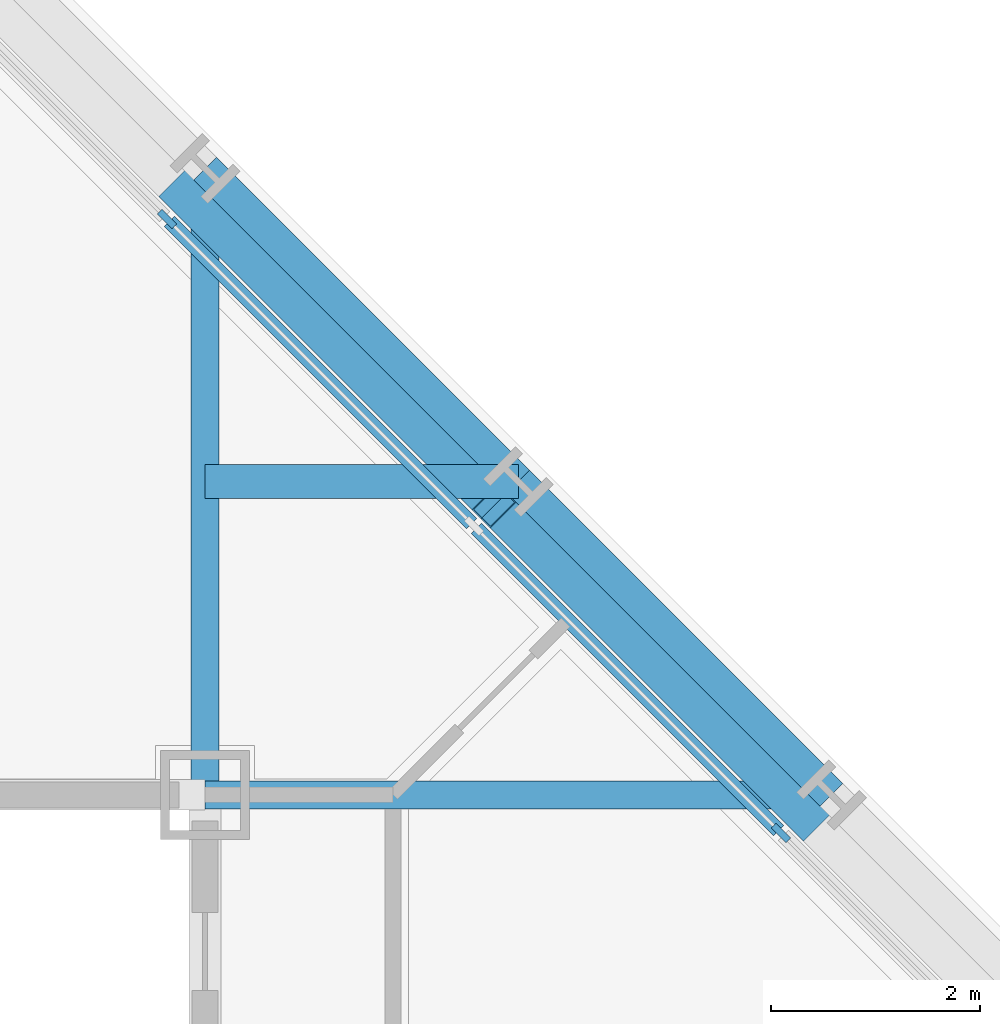
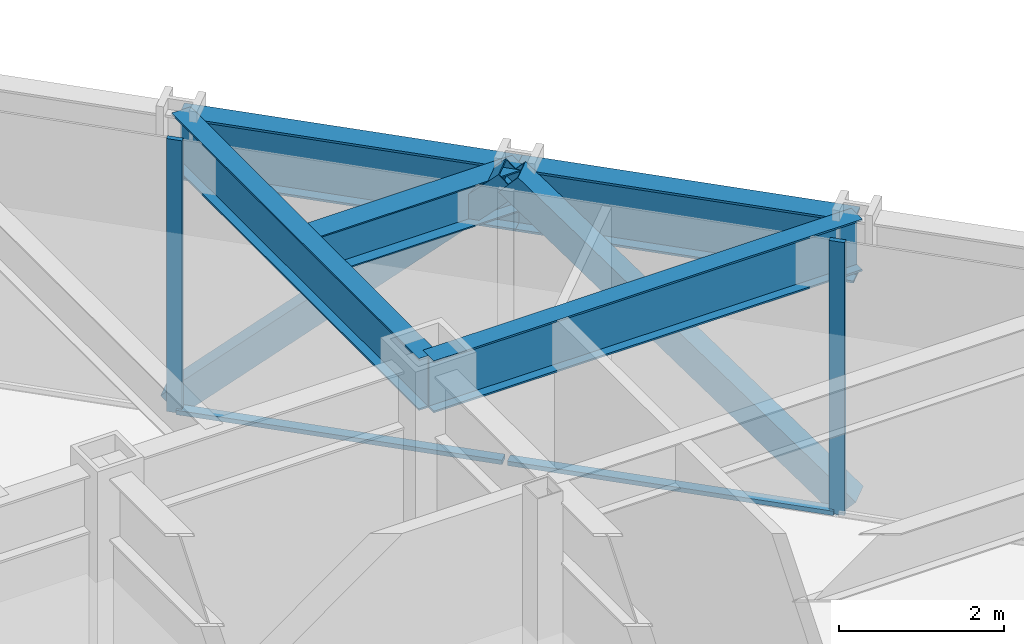
# One storey, part 8 of 15: 6 members, 5 beams, 1 element without a shape of its own.
"""IFC4 building model written with IfcOpenShell, lengths in metres."""

from ifc_helpers import new_model, si_unit, direction, frame, origin, origin_2d, place, context, subcontext, project, spatial, rectangle, hollow_rectangle, i_section, extrude, material, layer, layer_set, material_profile, profile_set, type_object, element, aggregate, save


model = new_model("IFC4")

# Units and contexts
model_context = context("Model", 3, precision=1e-05, world=origin(), true_north=direction((0.0, 1.0)))
body_context = subcontext(model_context, "Body", "Model", "MODEL_VIEW")
ifc_project = project(units=[si_unit("LENGTHUNIT", "METRE"), si_unit("AREAUNIT", "SQUARE_METRE"), si_unit("VOLUMEUNIT", "CUBIC_METRE"), si_unit("PLANEANGLEUNIT", "RADIAN"), si_unit("MASSUNIT", "GRAM", prefix="KILO")], contexts=[model_context])

# Site, building, storey
site_placement = place(None, origin())
site = spatial("IfcSite", under=ifc_project, at=site_placement, CompositionType="ELEMENT")
building_placement = place(site_placement, origin())
building = spatial("IfcBuilding", under=site, at=building_placement, Name="Chuquiago Exchange Tower", CompositionType="ELEMENT")
storey_placement = place(building_placement, frame((0.0, 0.0, 192.89990234375)))
storey = spatial("IfcBuildingStorey", under=building, at=storey_placement, Name="L42", CompositionType="ELEMENT", Elevation=192.89990234375)

# Beam
ifc_material_1 = material(Name="Steel ASTM A992", Category="steel")
ifc_material_profile_1 = material_profile(ifc_material_1, i_section(OverallWidth=0.3251953125, OverallDepth=0.612060546875, WebThickness=0.0126953125, FlangeThickness=0.01904296875, at=origin_2d()), Name="W24X104")
ifc_profile_set_1 = profile_set([ifc_material_profile_1], Name="Steel ASTM A992")
beam_type_1 = type_object("IfcBeamType", Name="B2 W24X104", PredefinedType="BEAM", material=ifc_profile_set_1)
beam_placement = place(storey_placement, frame((33.0, 36.0, 3.73388671875), z_axis=(1.0, 0.0, 0.0), x_axis=(0.0, 1.0, 0.0)))
element("IfcBeam", 1, at=beam_placement, inside=storey, type_object=beam_type_1, Name="FB-L43-corner-33_36-36_36-0", PredefinedType="BEAM", context=body_context, shape_type="SweptSolid", body=[
    extrude(i_section(OverallWidth=0.3251953125, OverallDepth=0.612060546875, WebThickness=0.0126953125, FlangeThickness=0.01904296875, at=origin_2d()), origin(), (0.0, 0.0, 1.0), 3.0),
])

# Curtain wall, members
ifc_material_2 = material(Name="Aluminium curtain wall system", Category="aluminium")
ifc_layer = layer(ifc_material_2, 0.199951171875)
ifc_layer_set = layer_set([ifc_layer], Name="CW3 facet curtain wall")
curtain_wall_type = type_object("IfcCurtainWallType", Name="CW3 facet curtain wall", PredefinedType="NOTDEFINED", material=ifc_layer_set)
curtain_wall_placement = place(storey_placement, origin())
curtain_wall = element("IfcCurtainWall", 2, at=curtain_wall_placement, inside=storey, type_object=curtain_wall_type, Name="CW3 curtain wall L42", PredefinedType="NOTDEFINED")
ifc_material_3 = material(Name="Aluminium mullion, pale anodised", Category="aluminium")
ifc_material_profile_2 = material_profile(ifc_material_3, rectangle(XDim=0.06494140625, YDim=0.199951171875, at=origin_2d()), Name="AL 65x200")
ifc_profile_set_2 = profile_set([ifc_material_profile_2], Name="Aluminium mullion, pale anodised")
member_type_1 = type_object("IfcMemberType", Name="CW3-M mullion 65x200", PredefinedType="MULLION", material=ifc_profile_set_2)
member_1_placement = place(storey_placement, frame((38.51708984375, 32.63427734375, 0.0), z_axis=(0.0, 0.0, 1.0), x_axis=(-0.707106781187, -0.707106781187, 0.0)))
member_1 = element("IfcMember", 3, at=member_1_placement, type_object=member_type_1, Name="CW3 mullion 3", PredefinedType="MULLION", context=body_context, shape_type="SweptSolid", body=[
    extrude(rectangle(XDim=0.06494140625, YDim=0.199951171875, at=origin_2d()), origin(), (0.0, 0.0, 1.0), 4.0400390625),
])
member_2_placement = place(storey_placement, frame((32.63427734375, 38.51708984375, 0.0), z_axis=(0.0, 0.0, 1.0), x_axis=(-0.707106781187, -0.707106781187, 0.0)))
member_2 = element("IfcMember", 4, at=member_2_placement, type_object=member_type_1, Name="CW3 mullion 5", PredefinedType="MULLION", context=body_context, shape_type="SweptSolid", body=[
    extrude(rectangle(XDim=0.06494140625, YDim=0.199951171875, at=origin_2d()), origin(), (0.0, 0.0, 1.0), 4.0400390625),
])
ifc_material_4 = material(Name="Aluminium transom, pale anodised", Category="aluminium")
ifc_material_profile_3 = material_profile(ifc_material_4, rectangle(XDim=0.139892578125, YDim=0.06494140625, at=origin_2d()), Name="AL 140x65")
ifc_profile_set_3 = profile_set([ifc_material_profile_3], Name="Aluminium transom, pale anodised")
member_type_2 = type_object("IfcMemberType", Name="CW3-T transom 65x140", PredefinedType="MULLION", material=ifc_profile_set_3)
member_3_placement = place(storey_placement, frame((38.494140625, 32.6572265625, 0.03271484375), z_axis=(-0.707106781187, 0.707106781187, 0.0), x_axis=(-0.707106781187, -0.707106781187, 0.0)))
member_3 = element("IfcMember", 5, at=member_3_placement, type_object=member_type_2, Name="CW3 transom 3.1", PredefinedType="MULLION", context=body_context, shape_type="SweptSolid", body=[
    extrude(rectangle(XDim=0.139892578125, YDim=0.06494140625, at=origin_2d()), origin(), (0.0, 0.0, 1.0), 4.094970703125),
])
member_4_placement = place(storey_placement, frame((35.552734375, 35.5986328125, 0.03271484375), z_axis=(-0.707106781187, 0.707106781187, 0.0), x_axis=(-0.707106781187, -0.707106781187, 0.0)))
member_4 = element("IfcMember", 6, at=member_4_placement, type_object=member_type_2, Name="CW3 transom 4.1", PredefinedType="MULLION", context=body_context, shape_type="SweptSolid", body=[
    extrude(rectangle(XDim=0.139892578125, YDim=0.06494140625, at=origin_2d()), origin(), (0.0, 0.0, 1.0), 4.094970703125),
])
aggregate(curtain_wall, [member_1, member_2, member_3, member_4])

# Beams
ifc_material_5 = material(Name="Steel ASTM A992", Category="steel")
ifc_material_profile_4 = material_profile(ifc_material_5, i_section(OverallWidth=0.2666015625, OverallDepth=0.76953125, WebThickness=0.015625, FlangeThickness=0.025390625, at=origin_2d()), Name="W30X132")
ifc_profile_set_4 = profile_set([ifc_material_profile_4], Name="Steel ASTM A992")
beam_type_2 = type_object("IfcBeamType", Name="G1 W30X132", PredefinedType="BEAM", material=ifc_profile_set_4)
for number, where, z_axis, x_axis, name in (
    (7, (33.0, 33.0, 3.6552734375), (0.0, 1.0, 0.0), (-1.0, 0.0, 0.0), "FB-L43-girder-33_33-33_39-0"),
    (8, (33.0, 33.0, 3.6552734375), (1.0, 0.0, 0.0), (0.0, 1.0, 0.0), "FB-L43-girder-33_33-39_33-0"),
):
    element("IfcBeam", number, at=place(storey_placement, frame(where, z_axis=z_axis, x_axis=x_axis)), inside=storey, type_object=beam_type_2, Name=name, PredefinedType="BEAM", context=body_context, shape_type="SweptSolid", body=[
        extrude(i_section(OverallWidth=0.2666015625, OverallDepth=0.76953125, WebThickness=0.015625, FlangeThickness=0.025390625, at=origin_2d()), origin(), (0.0, 0.0, 1.0), 6.0),
    ])

# Members
ifc_material_6 = material(Name="Steel ASTM A500 Grade C", Category="steel")
ifc_material_profile_5 = material_profile(ifc_material_6, hollow_rectangle(XDim=0.355712890625, YDim=0.355712890625, WallThickness=0.0146484375, at=origin_2d()), Name="HSS14X14X5/8")
ifc_profile_set_5 = profile_set([ifc_material_profile_5], Name="Steel ASTM A500 Grade C")
member_type_3 = type_object("IfcMemberType", Name="LB2 HSS14X14X5/8", PredefinedType="BRACE", material=ifc_profile_set_5)
for number, where, z_axis, x_axis, name in (
    (9, (38.7685546875, 32.7685546875, 0.0), (-0.512077265487, 0.512077265487, 0.689604051861), (-0.707106781187, -0.707106781187, 0.0), "LB-L42-39_33-36_36"),
    (10, (32.7685546875, 38.7685546875, 0.0), (0.512077265487, -0.512077265487, 0.689604051861), (0.707106781187, 0.707106781187, 0.0), "LB-L42-36_36-33_39"),
):
    element("IfcMember", number, at=place(storey_placement, frame(where, z_axis=z_axis, x_axis=x_axis)), inside=storey, type_object=member_type_3, Name=name, PredefinedType="BRACE", context=body_context, shape_type="SweptSolid", body=[
        extrude(hollow_rectangle(XDim=0.355712890625, YDim=0.355712890625, WallThickness=0.0146484375, at=origin_2d()), origin(), (0.0, 0.0, 1.0), 5.8583984375),
    ])

# Beams
ifc_material_7 = material(Name="Steel ASTM A992", Category="steel")
ifc_material_profile_6 = material_profile(ifc_material_7, i_section(OverallWidth=0.307373046875, OverallDepth=0.927001953125, WebThickness=0.01953125, FlangeThickness=0.031982421875, at=origin_2d()), Name="W36X194")
ifc_profile_set_6 = profile_set([ifc_material_profile_6], Name="Steel ASTM A992")
beam_type_3 = type_object("IfcBeamType", Name="SP3 W36X194", PredefinedType="SPANDREL", material=ifc_profile_set_6)
for number, where, z_axis, x_axis, name in (
    (11, (39.0, 33.0, 3.576416015625), (-0.707106781187, 0.707106781187, 0.0), (-0.707106781187, -0.707106781187, 0.0), "SPB-L43-39_33-36_36"),
    (12, (36.0, 36.0, 3.576416015625), (-0.707106781187, 0.707106781187, 0.0), (-0.707106781187, -0.707106781187, 0.0), "SPB-L43-36_36-33_39"),
):
    element("IfcBeam", number, at=place(storey_placement, frame(where, z_axis=z_axis, x_axis=x_axis)), inside=storey, type_object=beam_type_3, Name=name, PredefinedType="SPANDREL", context=body_context, shape_type="SweptSolid", body=[
        extrude(i_section(OverallWidth=0.307373046875, OverallDepth=0.927001953125, WebThickness=0.01953125, FlangeThickness=0.031982421875, at=origin_2d()), origin(), (0.0, 0.0, 1.0), 4.24267578125),
    ])

save(model, "model.ifc")
